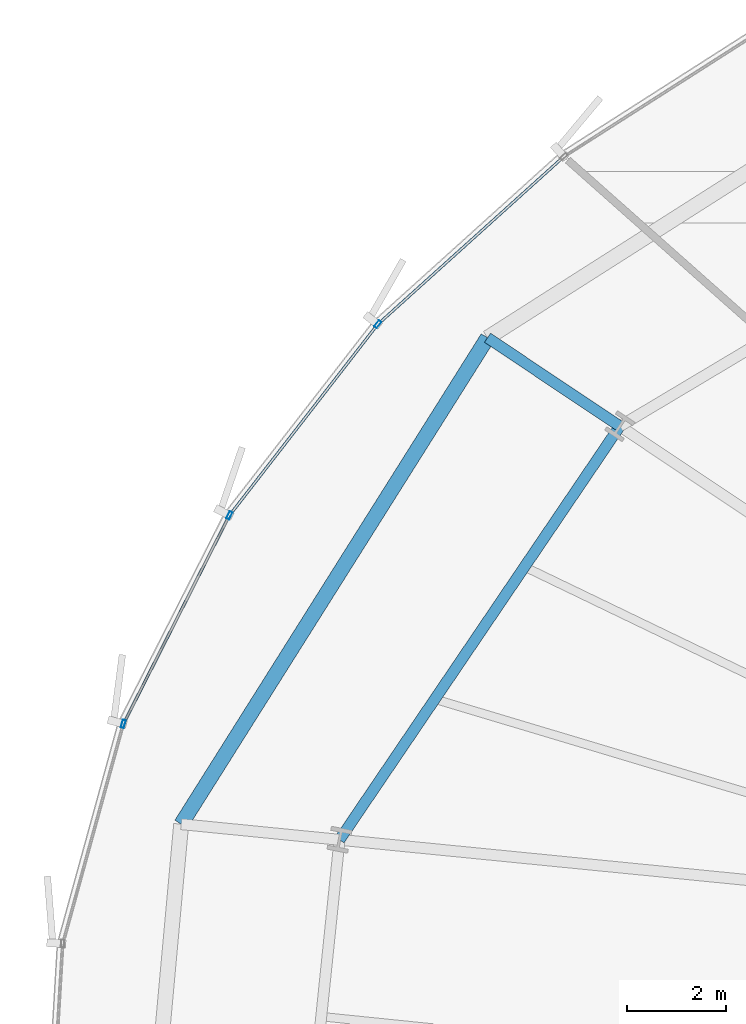
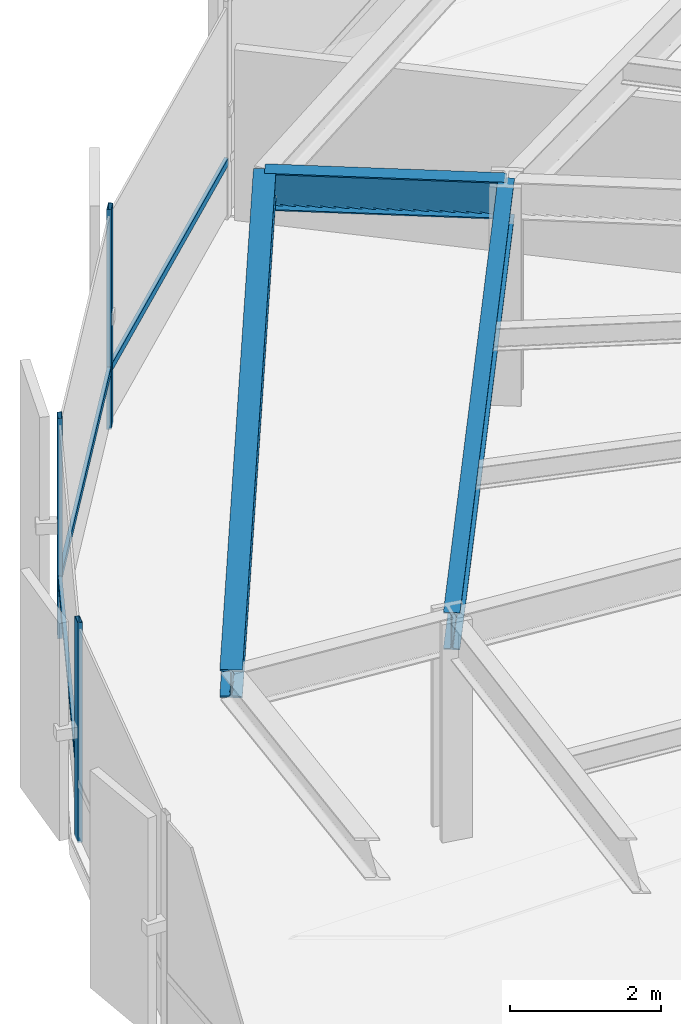
# One storey, part 18 of 39: 6 members, 3 beams, 1 element without a shape of its own.
"""IFC4 building model written with IfcOpenShell, lengths in metres."""

import ifcopenshell
import ifcopenshell.guid

model = None  # the IFC model being written
_history = None  # IfcOwnerHistory: only IFC2X3 demands one
_inside = {}  # id of a spatial element -> (the spatial element, [elements in it])
_under = {}  # id of a project, library or spatial element -> (it, [spatial elements below it])
_declared = {}  # id of a project -> (the project, [libraries it declares])
_typed = {}  # id of a type object -> (the type object, [elements of that type])
_made_of = {}  # id of a material, layer set ... -> (it, [elements and type objects made of it])


def new_model(schema):
    """Start an empty IFC model of exactly this schema.

    Asked for "IFC4X3", IfcOpenShell would pick the latest addendum, in which some entities
    have other attributes; the version numbers below select the first issue.
    IFC2X3 requires an IfcOwnerHistory on every rooted entity: one is made here for all.
    """
    global model, _history
    if schema == "IFC4X3":
        model = ifcopenshell.file(schema_version=(4, 3, 0, 0))
    else:
        model = ifcopenshell.file(schema=schema)
    _inside.clear()
    _under.clear()
    _declared.clear()
    _typed.clear()
    _made_of.clear()
    _history = None
    if model.schema == "IFC2X3":
        org = make("IfcOrganization", Name="unknown")
        user = make(
            "IfcPersonAndOrganization",
            ThePerson=make("IfcPerson", FamilyName="unknown"),
            TheOrganization=org,
        )
        app = make(
            "IfcApplication",
            ApplicationDeveloper=org,
            Version="unknown",
            ApplicationFullName="unknown",
            ApplicationIdentifier="unknown",
        )
        _history = make(
            "IfcOwnerHistory",
            OwningUser=user,
            OwningApplication=app,
            ChangeAction="ADDED",
            CreationDate=0,
        )
    return model


def make(cls, **values):
    """One entity of the class cls with the attributes given. An attribute that is None is left unset."""
    return model.create_entity(
        cls, **{name: value for name, value in values.items() if value is not None}
    )


def rooted(cls, **values):
    """An entity with a GlobalId (a new one), such as an element, a storey or a relation."""
    return make(cls, GlobalId=ifcopenshell.guid.new(), OwnerHistory=_history, **values)


def si_unit(unit_type, name, prefix=None):
    """IfcSIUnit, for example si_unit("LENGTHUNIT", "METRE", prefix="MILLI")."""
    return make("IfcSIUnit", UnitType=unit_type, Prefix=prefix, Name=name)


def assignment(units):
    """IfcUnitAssignment: the units of a project."""
    return None if units is None else make("IfcUnitAssignment", Units=units)


def point(xyz):
    """IfcCartesianPoint."""
    return None if xyz is None else make("IfcCartesianPoint", Coordinates=xyz)


def direction(xyz):
    """IfcDirection."""
    return None if xyz is None else make("IfcDirection", DirectionRatios=xyz)


def frame(location, z_axis=None, x_axis=None):
    """IfcAxis2Placement3D, a coordinate frame: its origin and axes. An axis left out is left unset."""
    return make(
        "IfcAxis2Placement3D",
        Location=point(location),
        Axis=direction(z_axis),
        RefDirection=direction(x_axis),
    )


def frame_2d(location, x_axis=None):
    """IfcAxis2Placement2D, a coordinate frame in the plane: its origin and x axis."""
    return make(
        "IfcAxis2Placement2D", Location=point(location), RefDirection=direction(x_axis)
    )


def origin():
    """The frame at (0, 0, 0) with its axes left unset."""
    return frame((0.0, 0.0, 0.0))


def origin_2d():
    """The frame at (0, 0) in the plane with its x axis left unset."""
    return frame_2d((0.0, 0.0))


def place(relative_to, where):
    """IfcLocalPlacement: puts the frame where relative to a parent placement (None: the world)."""
    return make(
        "IfcLocalPlacement", PlacementRelTo=relative_to, RelativePlacement=where
    )


def context(
    kind, dimensions, precision=None, world=None, true_north=None, identifier=None
):
    """IfcGeometricRepresentationContext, for example the 3D "Model" context."""
    return make(
        "IfcGeometricRepresentationContext",
        ContextIdentifier=identifier,
        ContextType=kind,
        CoordinateSpaceDimension=dimensions,
        Precision=precision,
        WorldCoordinateSystem=world,
        TrueNorth=true_north,
    )


def subcontext(parent, identifier, kind, view, scale=None):
    """IfcGeometricRepresentationSubContext, for example "Body" below "Model"."""
    return make(
        "IfcGeometricRepresentationSubContext",
        ContextIdentifier=identifier,
        ContextType=kind,
        ParentContext=parent,
        TargetScale=scale,
        TargetView=view,
    )


def project(units=None, contexts=None):
    """IfcProject with its units and contexts."""
    return rooted(
        "IfcProject",
        Name="project",
        RepresentationContexts=contexts,
        UnitsInContext=assignment(units),
    )


def spatial(cls, under=None, at=None, **own):
    """A site, building, storey or space (cls), placed at a placement, below another one or the project."""
    s = rooted(cls, ObjectPlacement=at, **own)
    if under is not None:
        _under.setdefault(under.id(), (under, []))[1].append(s)
    return s


def profile(cls, at=None, kind="AREA", **sizes):
    """A parametric profile (cls). Its sizes go by their IFC names, for example OverallWidth=200.0."""
    return make(cls, ProfileType=kind, Position=at, **sizes)


def hollow_rectangle(**sizes):
    """IfcRectangleHollowProfileDef."""
    return profile("IfcRectangleHollowProfileDef", **sizes)


def i_section(**sizes):
    """IfcIShapeProfileDef."""
    return profile("IfcIShapeProfileDef", **sizes)


def extrude(swept, where, along, depth):
    """IfcExtrudedAreaSolid: the profile swept, set in the frame where, extruded along a direction by depth."""
    return make(
        "IfcExtrudedAreaSolid",
        SweptArea=swept,
        Position=where,
        ExtrudedDirection=direction(along),
        Depth=depth,
    )


def shape(context_of_items, identifier, shape_type, items):
    """IfcShapeRepresentation: the items that make up one representation, for example the "Body"."""
    return make(
        "IfcShapeRepresentation",
        ContextOfItems=context_of_items,
        RepresentationIdentifier=identifier,
        RepresentationType=shape_type,
        Items=items,
    )


def source(mapping_origin, context_of_items, identifier, shape_type, items):
    """IfcRepresentationMap: a shape defined once, which mapped items show again and again."""
    return make(
        "IfcRepresentationMap",
        MappingOrigin=mapping_origin,
        MappedRepresentation=shape(context_of_items, identifier, shape_type, items),
    )


def transform(
    local_origin,
    x_axis=None,
    y_axis=None,
    z_axis=None,
    scale=None,
    scale2=None,
    scale3=None,
    uniform=True,
):
    """IfcCartesianTransformationOperator3D, or its non-uniform kind. x_axis, y_axis, z_axis: its Axis1, 2, 3."""
    if uniform:
        return make(
            "IfcCartesianTransformationOperator3D",
            Axis1=direction(x_axis),
            Axis2=direction(y_axis),
            LocalOrigin=point(local_origin),
            Scale=scale,
            Axis3=direction(z_axis),
        )
    return make(
        "IfcCartesianTransformationOperator3DnonUniform",
        Axis1=direction(x_axis),
        Axis2=direction(y_axis),
        LocalOrigin=point(local_origin),
        Scale=scale,
        Axis3=direction(z_axis),
        Scale2=scale2,
        Scale3=scale3,
    )


def mapped(mapping_source, mapping_target):
    """IfcMappedItem: shows the shape of a source again, moved by a transform."""
    return make(
        "IfcMappedItem", MappingSource=mapping_source, MappingTarget=mapping_target
    )


def material(Name=None, Category=None):
    """IfcMaterial."""
    return make("IfcMaterial", Name=Name, Category=Category)


def layer(
    of_material, thickness, ventilated=None, Name=None, Category=None, Priority=None
):
    """IfcMaterialLayer: one layer of a wall or slab, of a material (None: an air gap)."""
    return make(
        "IfcMaterialLayer",
        Material=of_material,
        LayerThickness=thickness,
        IsVentilated=ventilated,
        Name=Name,
        Category=Category,
        Priority=Priority,
    )


def layer_set(layers, Name=None):
    """IfcMaterialLayerSet."""
    return make("IfcMaterialLayerSet", MaterialLayers=layers, LayerSetName=Name)


def material_profile(
    of_material, cross_section, Name=None, Category=None, Priority=None
):
    """IfcMaterialProfile: a cross section and its material."""
    return make(
        "IfcMaterialProfile",
        Name=Name,
        Material=of_material,
        Profile=cross_section,
        Priority=Priority,
        Category=Category,
    )


def profile_set(profiles, Name=None, composite=None):
    """IfcMaterialProfileSet."""
    return make(
        "IfcMaterialProfileSet",
        Name=Name,
        MaterialProfiles=profiles,
        CompositeProfile=composite,
    )


def made_of(thing, what):
    """Note that an element or type object is made of a material, layer set ...; save() writes the relation."""
    if what is not None:
        _made_of.setdefault(what.id(), (what, []))[1].append(thing)
    return thing


def type_object(cls, material=None, **own):
    """A type object (cls), such as IfcWallType, which elements share."""
    return made_of(rooted(cls, **own), material)


def element(
    cls,
    number,
    at=None,
    inside=None,
    cuts=None,
    type_object=None,
    material=None,
    context=None,
    identifier="Body",
    shape_type=None,
    held_by="IfcProductDefinitionShape",
    body=None,
    shapes=None,
    **own,
):
    """One element of the class cls, such as IfcWall. Its Tag is "e" and its number.

    at: its placement. inside: the storey or other place that contains it. cuts: it is an
    opening in that element (IfcRelVoidsElement). A single representation is given by context,
    identifier, shape_type and body (its items); several are given by shapes. held_by: the class
    of the entity that holds the representations. save() writes the other relations.
    """
    e = rooted(cls, Tag="e%d" % number, ObjectPlacement=at, **own)
    if body is not None:
        shapes = [shape(context, identifier, shape_type, body)]
    if shapes is not None:
        e.Representation = make(held_by, Representations=shapes)
    if inside is not None:
        _inside.setdefault(inside.id(), (inside, []))[1].append(e)
    if cuts is not None:
        rooted(
            "IfcRelVoidsElement", RelatingBuildingElement=cuts, RelatedOpeningElement=e
        )
    if type_object is not None:
        _typed.setdefault(type_object.id(), (type_object, []))[1].append(e)
    return made_of(e, material)


def aggregate(whole, parts):
    """IfcRelAggregates: a whole, such as a stair, and the parts it consists of."""
    return rooted("IfcRelAggregates", RelatingObject=whole, RelatedObjects=parts)


def save(model, path):
    """Write the relations noted so far, then the file.

    IfcRelAggregates (storeys below a building ...), IfcRelContainedInSpatialStructure (elements
    in a storey), IfcRelDefinesByType, IfcRelAssociatesMaterial and IfcRelDeclares: one each for
    every whole, place, type object, material and project.
    """
    for whole, parts in _under.values():
        aggregate(whole, parts)
    for where, things in _inside.values():
        rooted(
            "IfcRelContainedInSpatialStructure",
            RelatedElements=things,
            RelatingStructure=where,
        )
    for kind, things in _typed.values():
        rooted("IfcRelDefinesByType", RelatedObjects=things, RelatingType=kind)
    for what, things in _made_of.values():
        rooted("IfcRelAssociatesMaterial", RelatedObjects=things, RelatingMaterial=what)
    for by, libraries in _declared.values():
        rooted("IfcRelDeclares", RelatingContext=by, RelatedDefinitions=libraries)
    model.write(path)


model = new_model("IFC4")

# Units and contexts
model_context = context("Model", 3, precision=1e-05, world=origin(), true_north=direction((0.0, 1.0)))
body_context = subcontext(model_context, "Body", "Model", "MODEL_VIEW")
ifc_project = project(units=[si_unit("LENGTHUNIT", "METRE"), si_unit("AREAUNIT", "SQUARE_METRE"), si_unit("VOLUMEUNIT", "CUBIC_METRE"), si_unit("PLANEANGLEUNIT", "RADIAN"), si_unit("MASSUNIT", "GRAM", prefix="KILO"), si_unit("THERMODYNAMICTEMPERATUREUNIT", "KELVIN")], contexts=[model_context])

# Site, building, storey
site_placement = place(None, origin())
site = spatial("IfcSite", under=ifc_project, at=site_placement, CompositionType="ELEMENT")
building_placement = place(site_placement, origin())
building = spatial("IfcBuilding", under=site, at=building_placement, Name="Kethvar Cultural Tower", CompositionType="ELEMENT")
storey_placement = place(building_placement, frame((0.0, 0.0, 41.0)))
storey = spatial("IfcBuildingStorey", under=building, at=storey_placement, Name="L09", CompositionType="ELEMENT", Elevation=41.0)

# Beams
ifc_material_1 = material(Name="Steel S355J2", Category="steel")
ifc_material_profile_1 = material_profile(ifc_material_1, i_section(OverallWidth=0.219970703125, OverallDepth=0.60009765625, WebThickness=0.011962890625, FlangeThickness=0.01904296875, FilletRadius=0.02392578125, at=origin_2d()), Name="Steel S355J2 — IPE600")
ifc_profile_set_1 = profile_set([ifc_material_profile_1], Name="Steel S355J2 — IPE600")
beam_type_1 = type_object("IfcBeamType", Name="BM-IPE600", PredefinedType="BEAM", material=ifc_profile_set_1)
shared_shape_1 = source(origin(), body_context, "Body", "SweptSolid", [
    extrude(i_section(OverallWidth=0.219970703125, OverallDepth=0.60009765625, WebThickness=0.011962890625, FlangeThickness=0.01904296875, FilletRadius=0.02392578125, at=origin_2d()), origin(), (0.0, 0.0, 1.0), 3.199951171875),
])
beam_1_placement = place(storey_placement, frame((26.6845703125, 41.24072265625, 3.248046875), z_axis=(-0.831462943996, 0.555580212716, 0.0), x_axis=(-0.555580212716, -0.831462943996, 0.0)))
element("IfcBeam", 1, at=beam_1_placement, inside=storey, type_object=beam_type_1, Name="L09 Perimeter Cantilever Beam RC-07", PredefinedType="BEAM", context=body_context, shape_type="MappedRepresentation", body=[
    mapped(shared_shape_1, transform((0.0, 0.0, 0.0), scale=1.0)),
])
shared_shape_2 = source(origin(), body_context, "Body", "SweptSolid", [
    extrude(i_section(OverallWidth=0.219970703125, OverallDepth=0.60009765625, WebThickness=0.011962890625, FlangeThickness=0.01904296875, FilletRadius=0.02392578125, at=origin_2d()), origin(), (0.0, 0.0, 1.0), 10.048583984375),
])
beam_2_placement = place(storey_placement, frame((26.6845703125, 41.24072265625, 3.248046875), z_axis=(-0.561025415443, -0.827798576483, 0.0), x_axis=(0.827798576483, -0.561025415443, 0.0)))
element("IfcBeam", 2, at=beam_2_placement, inside=storey, type_object=beam_type_1, Name="L09 Column Ring Tie Beam CR-07", PredefinedType="BEAM", context=body_context, shape_type="MappedRepresentation", body=[
    mapped(shared_shape_2, transform((0.0, 0.0, 0.0), scale=1.0)),
])
ifc_material_profile_2 = material_profile(ifc_material_1, i_section(OverallWidth=0.300048828125, OverallDepth=0.449951171875, WebThickness=0.013916015625, FlangeThickness=0.02587890625, FilletRadius=0.027099609375, at=origin_2d()), Name="Steel S355J2 — HEB450")
ifc_profile_set_2 = profile_set([ifc_material_profile_2], Name="Steel S355J2 — HEB450")
beam_type_2 = type_object("IfcBeamType", Name="BM-SP450", PredefinedType="SPANDREL", material=ifc_profile_set_2)
shared_shape_3 = source(origin(), body_context, "Body", "SweptSolid", [
    extrude(i_section(OverallWidth=0.300048828125, OverallDepth=0.449951171875, WebThickness=0.013916015625, FlangeThickness=0.02587890625, FilletRadius=0.027099609375, at=origin_2d()), origin(), (0.0, 0.0, 1.0), 11.560546875),
])
beam_3_placement = place(storey_placement, frame((24.02392578125, 43.0185546875, 3.322998046875), z_axis=(-0.532968413488, -0.846135137093, 0.0), x_axis=(0.846135137093, -0.532968413488, 0.0)))
element("IfcBeam", 3, at=beam_3_placement, inside=storey, type_object=beam_type_2, Name="L09 Perimeter Spandrel Beam SP-07", PredefinedType="SPANDREL", context=body_context, shape_type="MappedRepresentation", body=[
    mapped(shared_shape_3, transform((0.0, 0.0, 0.0), scale=1.0)),
])

# Curtain wall, members
ifc_material_2 = material(Name="Aluminium 6063-T6", Category="aluminium")
ifc_layer = layer(ifc_material_2, 0.179931640625, Name="Aluminium 6063-T6", Category="aluminium")
ifc_layer_set = layer_set([ifc_layer], Name="Aluminium 6063-T6 (180 mm)")
curtain_wall_type = type_object("IfcCurtainWallType", Name="CW-SYS-02-Z1", PredefinedType="NOTDEFINED", material=ifc_layer_set)
curtain_wall_placement = place(storey_placement, origin())
curtain_wall = element("IfcCurtainWall", 4, at=curtain_wall_placement, inside=storey, type_object=curtain_wall_type, Name="L09 Curtain Wall Run 03", PredefinedType="NOTDEFINED")
ifc_material_profile_3 = material_profile(ifc_material_2, hollow_rectangle(XDim=0.06494140625, YDim=0.159912109375, WallThickness=0.0048828125, at=origin_2d()), Name="Aluminium 6063-T6 — RHS160x65x5")
ifc_profile_set_3 = profile_set([ifc_material_profile_3], Name="Aluminium 6063-T6 — RHS160x65x5")
member_type_1 = type_object("IfcMemberType", Name="CW-SYS-02-Z1-MUL", PredefinedType="MULLION", material=ifc_profile_set_3)
shared_shape_4 = source(origin(), body_context, "Body", "SweptSolid", [
    extrude(hollow_rectangle(XDim=0.06494140625, YDim=0.159912109375, WallThickness=0.0048828125, at=origin_2d()), origin(), (0.0, 0.0, 1.0), 3.550048828125),
])
member_1_placement = place(storey_placement, frame((21.81591796875, 43.2900390625, 0.0), z_axis=(0.0, 0.0, 1.0), x_axis=(0.790133617402, -0.612934634893, 0.0)))
member_1 = element("IfcMember", 5, at=member_1_placement, type_object=member_type_1, Name="CW-L09-R03 Mullion 3", PredefinedType="MULLION", context=body_context, shape_type="MappedRepresentation", body=[
    mapped(shared_shape_4, transform((0.0, 0.0, 0.0), scale=1.0)),
])
member_2_placement = place(storey_placement, frame((18.832763671875, 39.447998046875, 0.0), z_axis=(0.0, 0.0, 1.0), x_axis=(0.891544703319, -0.452932712423, 0.0)))
member_2 = element("IfcMember", 6, at=member_2_placement, type_object=member_type_1, Name="CW-L09-R03 Mullion 4", PredefinedType="MULLION", context=body_context, shape_type="MappedRepresentation", body=[
    mapped(shared_shape_4, transform((0.0, 0.0, 0.0), scale=1.0)),
])
member_3_placement = place(storey_placement, frame((16.69921875, 35.253662109375, 0.0), z_axis=(0.0, 0.0, 1.0), x_axis=(0.964090769259, -0.265572944085, 0.0)))
member_3 = element("IfcMember", 7, at=member_3_placement, type_object=member_type_1, Name="CW-L09-R03 Mullion 5", PredefinedType="MULLION", context=body_context, shape_type="MappedRepresentation", body=[
    mapped(shared_shape_4, transform((0.0, 0.0, 0.0), scale=1.0)),
])
ifc_material_profile_4 = material_profile(ifc_material_2, hollow_rectangle(XDim=0.054931640625, YDim=0.1201171875, WallThickness=0.00390625, at=origin_2d()), Name="Aluminium 6063-T6 — RHS120x55x4")
ifc_profile_set_4 = profile_set([ifc_material_profile_4], Name="Aluminium 6063-T6 — RHS120x55x4")
member_type_2 = type_object("IfcMemberType", Name="CW-SYS-02-Z1-TRN", PredefinedType="USERDEFINED", material=ifc_profile_set_4)
shared_shape_5 = source(origin(), body_context, "Body", "SweptSolid", [
    extrude(hollow_rectangle(XDim=0.054931640625, YDim=0.1201171875, WallThickness=0.00390625, at=origin_2d()), origin(), (0.0, 0.0, 1.0), 4.965576171875),
])
member_4_placement = place(storey_placement, frame((25.52392578125, 46.63134765625, 0.949951171875), z_axis=(-0.742645953015, -0.66968424535, 0.0), x_axis=(0.66968424535, -0.742645953015, 0.0)))
member_4 = element("IfcMember", 8, at=member_4_placement, type_object=member_type_2, Name="CW-L09-R03 Transom 2", ObjectType="TRANSOM", PredefinedType="USERDEFINED", context=body_context, shape_type="MappedRepresentation", body=[
    mapped(shared_shape_5, transform((0.0, 0.0, 0.0), scale=1.0)),
])
shared_shape_6 = source(origin(), body_context, "Body", "SweptSolid", [
    extrude(hollow_rectangle(XDim=0.054931640625, YDim=0.1201171875, WallThickness=0.00390625, at=origin_2d()), origin(), (0.0, 0.0, 1.0), 4.793212890625),
])
member_5_placement = place(storey_placement, frame((21.787109375, 43.253173828125, 0.949951171875), z_axis=(-0.612935156489, -0.790133212781, 0.0), x_axis=(0.790133212781, -0.612935156489, 0.0)))
member_5 = element("IfcMember", 9, at=member_5_placement, type_object=member_type_2, Name="CW-L09-R03 Transom 3", ObjectType="TRANSOM", PredefinedType="USERDEFINED", context=body_context, shape_type="MappedRepresentation", body=[
    mapped(shared_shape_6, transform((0.0, 0.0, 0.0), scale=1.0)),
])
shared_shape_7 = source(origin(), body_context, "Body", "SweptSolid", [
    extrude(hollow_rectangle(XDim=0.054931640625, YDim=0.1201171875, WallThickness=0.00390625, at=origin_2d()), origin(), (0.0, 0.0, 1.0), 4.63623046875),
])
member_6_placement = place(storey_placement, frame((18.8115234375, 39.40625, 0.949951171875), z_axis=(-0.452933894227, -0.891544102925, 0.0), x_axis=(0.891544102925, -0.452933894227, 0.0)))
member_6 = element("IfcMember", 10, at=member_6_placement, type_object=member_type_2, Name="CW-L09-R03 Transom 4", ObjectType="TRANSOM", PredefinedType="USERDEFINED", context=body_context, shape_type="MappedRepresentation", body=[
    mapped(shared_shape_7, transform((0.0, 0.0, 0.0), scale=1.0)),
])
aggregate(curtain_wall, [member_1, member_2, member_3, member_4, member_5, member_6])

save(model, "model.ifc")
